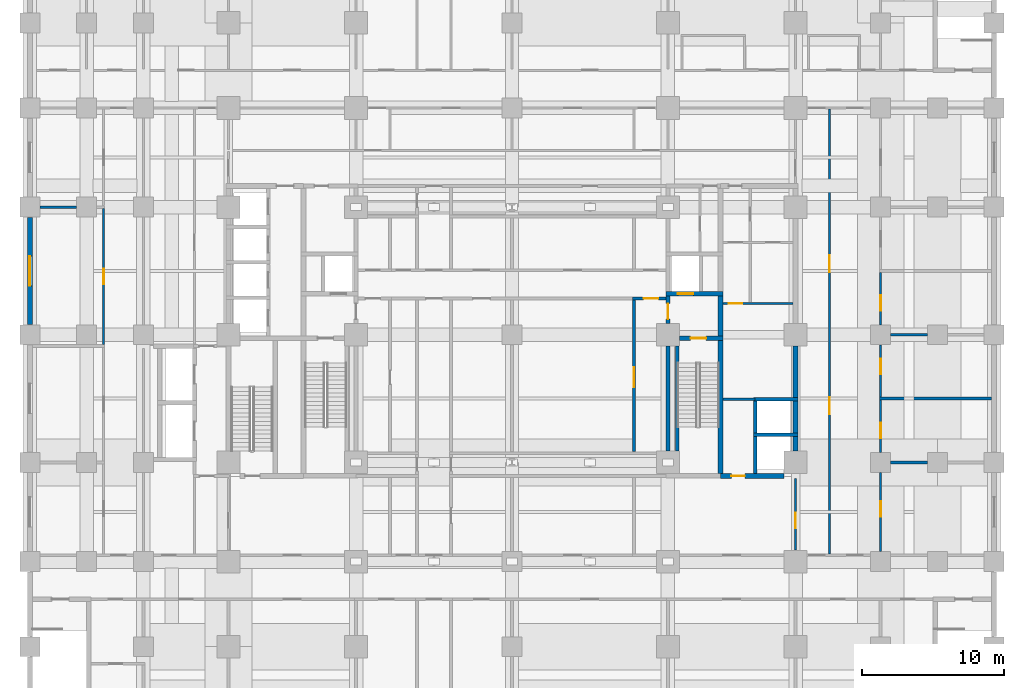
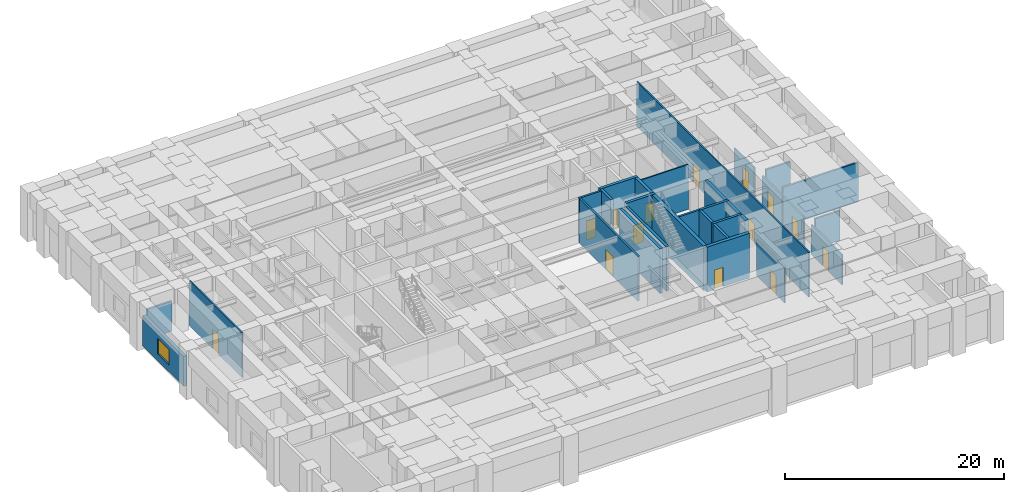
# One storey, part 10 of 22: 31 walls, 15 doors, 1 window, 16 openings.
"""IFC4 building model written with IfcOpenShell, lengths in metres."""

from ifc_helpers import new_model, si_unit, direction, frame, frame_2d, origin, place, context, subcontext, project, spatial, rectangle, extrude, material, layer, layer_set, type_object, element, fill, save


model = new_model("IFC4")

# Units and contexts
model_context = context("Model", 3, precision=1e-05, world=origin(), true_north=direction((0.0, 1.0)))
body_context = subcontext(model_context, "Body", "Model", "MODEL_VIEW")
ifc_project = project(units=[si_unit("LENGTHUNIT", "METRE"), si_unit("AREAUNIT", "SQUARE_METRE"), si_unit("VOLUMEUNIT", "CUBIC_METRE"), si_unit("PLANEANGLEUNIT", "RADIAN"), si_unit("MASSUNIT", "GRAM", prefix="KILO")], contexts=[model_context])

# Site, building, storey
site_placement = place(None, origin())
site = spatial("IfcSite", under=ifc_project, at=site_placement, CompositionType="ELEMENT")
building_placement = place(site_placement, origin())
building = spatial("IfcBuilding", under=site, at=building_placement, Name="Zulmaris Gate Convention Tower", CompositionType="ELEMENT")
storey_placement = place(building_placement, frame((0.0, 0.0, 21.760009765625)))
storey = spatial("IfcBuildingStorey", under=building, at=storey_placement, Name="L04", CompositionType="ELEMENT", Elevation=21.760009765625)

# Walls
ifc_material_1 = material(Name="Concrete C50/60", Category="concrete")
ifc_layer_1 = layer(ifc_material_1, 0.25, Name="Concrete C50/60")
ifc_layer_set_1 = layer_set([ifc_layer_1], Name="Concrete C50/60")
wall_type_1 = type_object("IfcWallType", Name="CORE-250", PredefinedType="SOLIDWALL", material=ifc_layer_set_1)
for number, where, z_axis, x_axis, name in (
    (1, (17.02490234375, -7.050048828125, 0.0), (0.0, 0.0, 1.0), (1.0, 0.0, 0.0), "WL-L04-010"),
    (2, (17.02490234375, -4.550048828125, 0.0), (0.0, 0.0, 1.0), (1.0, 0.0, 0.0), "WL-L04-012"),
):
    element("IfcWall", number, at=place(storey_placement, frame(where, z_axis=z_axis, x_axis=x_axis)), inside=storey, type_object=wall_type_1, Name=name, PredefinedType="SOLIDWALL", context=body_context, shape_type="SweptSolid", body=[
        extrude(rectangle(XDim=3.150146484375, YDim=0.25, at=frame_2d((1.5751953125, 0.0))), origin(), (0.0, 0.0, 1.0), 4.989990234375),
    ])
wall_1_placement = place(storey_placement, frame((11.64990234375, -8.196044921875, 0.0), z_axis=(0.0, 0.0, 1.0), x_axis=(0.0, 1.0, 0.0)))
element("IfcWall", 3, at=wall_1_placement, inside=storey, type_object=wall_type_1, Name="WL-L04-102", PredefinedType="SOLIDWALL", context=body_context, shape_type="SweptSolid", body=[
    extrude(rectangle(XDim=7.39208984375, YDim=0.25, at=frame_2d((3.696044921875, 0.0))), origin(), (0.0, 0.0, 1.0), 4.989990234375),
])
wall_2_placement = place(storey_placement, frame((17.14990234375, -9.77294921875, 0.0), z_axis=(0.0, 0.0, 1.0), x_axis=(0.0, 1.0, 0.0)))
element("IfcWall", 4, at=wall_2_placement, inside=storey, type_object=wall_type_1, Name="WL-L04-108", PredefinedType="SOLIDWALL", context=body_context, shape_type="SweptSolid", body=[
    extrude(rectangle(XDim=2.595947265625, YDim=0.25, at=frame_2d((1.2978515625, 0.0))), origin(), (0.0, 0.0, 1.0), 4.989990234375),
])
wall_3_placement = place(storey_placement, frame((17.14990234375, -6.923095703125, 0.0), z_axis=(0.0, 0.0, 1.0), x_axis=(0.0, 1.0, 0.0)))
element("IfcWall", 5, at=wall_3_placement, inside=storey, type_object=wall_type_1, Name="WL-L04-109", PredefinedType="SOLIDWALL", context=body_context, shape_type="SweptSolid", body=[
    extrude(rectangle(XDim=2.24609375, YDim=0.25, at=frame_2d((1.123046875, 0.0))), origin(), (0.0, 0.0, 1.0), 4.989990234375),
])

# Wall, opening, door
ifc_layer_2 = layer(ifc_material_1, 0.300048828125, Name="Concrete C50/60")
ifc_layer_set_2 = layer_set([ifc_layer_2], Name="Concrete C50/60")
wall_type_2 = type_object("IfcWallType", Name="CORE-300", PredefinedType="SHEAR", material=ifc_layer_set_2)
wall_4_placement = place(storey_placement, frame((11.803955078125, -0.25, 0.0), z_axis=(0.0, 0.0, 1.0), x_axis=(1.0, 0.0, 0.0)))
wall_4 = element("IfcWall", 6, at=wall_4_placement, inside=storey, type_object=wall_type_2, Name="WL-L04-015", PredefinedType="SHEAR", context=body_context, shape_type="SweptSolid", body=[
    extrude(rectangle(XDim=3.071044921875, YDim=0.300048828125, at=frame_2d((1.53564453125, 0.0))), origin(), (0.0, 0.0, 1.0), 4.989990234375),
])
opening_1_placement = place(wall_4_placement, frame((0.7958984375, 0.0, 0.0)))
opening_1 = element("IfcOpeningElement", 7, at=opening_1_placement, cuts=wall_4, Name="Opening D-08", PredefinedType="OPENING", context=body_context, shape_type="SweptSolid", body=[
    extrude(rectangle(XDim=1.10009765625, YDim=2.14990234375, at=frame_2d((0.550048828125, 1.074951171875))), frame((0.0, 0.16015625, 0.0), z_axis=(0.0, -1.0, 0.0), x_axis=(1.0, 0.0, 0.0)), (0.0, 0.0, 1.0), 0.320068359375),
])
ifc_material_2 = material(Name="Fire-Rated Steel", Category="steel")
door_type_1 = type_object("IfcDoorType", Name="DR-1100-FD", OperationType="NOTDEFINED", PredefinedType="DOOR", material=ifc_material_2)
door_1_placement = place(opening_1_placement, origin())
door_1 = element("IfcDoor", 8, at=door_1_placement, inside=storey, type_object=door_type_1, Name="L04 Exit Stair ST-2 Door 04", OperationType="SINGLE_SWING_LEFT", OverallHeight=2.14990234375, OverallWidth=1.10009765625, PredefinedType="DOOR", context=body_context, shape_type="SweptSolid", body=[
    extrude(rectangle(XDim=1.10009765625, YDim=2.14990234375, at=frame_2d((0.550048828125, 1.074951171875))), frame((0.0, 0.02490234375, 0.0), z_axis=(0.0, -1.0, 0.0), x_axis=(1.0, 0.0, 0.0)), (0.0, 0.0, 1.0), 0.050048828125),
])
fill(opening_1, door_1)

wall_5_placement = place(storey_placement, frame((10.85009765625, 2.89990234375, 0.0), z_axis=(0.0, 0.0, 1.0), x_axis=(1.0, 0.0, 0.0)))
wall_5 = element("IfcWall", 9, at=wall_5_placement, inside=storey, type_object=wall_type_2, Name="WL-L04-018", PredefinedType="SHEAR", context=body_context, shape_type="SweptSolid", body=[
    extrude(rectangle(XDim=4.02490234375, YDim=0.300048828125, at=frame_2d((2.012451171875, 0.0))), origin(), (0.0, 0.0, 1.0), 4.989990234375),
])
opening_2_placement = place(wall_5_placement, frame((0.85009765625, 0.0, 0.0)))
opening_2 = element("IfcOpeningElement", 10, at=opening_2_placement, cuts=wall_5, Name="Opening D-06", PredefinedType="OPENING", context=body_context, shape_type="SweptSolid", body=[
    extrude(rectangle(XDim=1.10009765625, YDim=2.199951171875, at=frame_2d((0.550048828125, 1.10009765625))), frame((0.0, 0.16015625, 0.0), z_axis=(0.0, -1.0, 0.0), x_axis=(1.0, 0.0, 0.0)), (0.0, 0.0, 1.0), 0.320068359375),
])
ifc_material_3 = material(Name="Brushed Stainless Steel", Category="steel")
door_type_2 = type_object("IfcDoorType", Name="LD-1100", OperationType="NOTDEFINED", PredefinedType="DOOR", material=ifc_material_3)
door_2_placement = place(opening_2_placement, origin())
door_2 = element("IfcDoor", 11, at=door_2_placement, inside=storey, type_object=door_type_2, Name="L04 Lift Landing Door LF-02 06", OperationType="SLIDING_TO_RIGHT", OverallHeight=2.199951171875, OverallWidth=1.10009765625, PredefinedType="DOOR", context=body_context, shape_type="SweptSolid", body=[
    extrude(rectangle(XDim=1.10009765625, YDim=2.199951171875, at=frame_2d((0.550048828125, 1.10009765625))), frame((0.0, 0.02490234375, 0.0), z_axis=(0.0, -1.0, 0.0), x_axis=(1.0, 0.0, 0.0)), (0.0, 0.0, 1.0), 0.050048828125),
])
fill(opening_2, door_2)

# Wall
wall_6_placement = place(storey_placement, frame((11.0, -8.196044921875, 0.0), z_axis=(0.0, 0.0, 1.0), x_axis=(0.0, 1.0, 0.0)))
element("IfcWall", 12, at=wall_6_placement, inside=storey, type_object=wall_type_2, Name="WL-L04-098", PredefinedType="SHEAR", context=body_context, shape_type="SweptSolid", body=[
    extrude(rectangle(XDim=7.39208984375, YDim=0.300048828125, at=frame_2d((3.696044921875, 0.0))), origin(), (0.0, 0.0, 1.0), 4.989990234375),
])

# Wall, opening, door
wall_7_placement = place(storey_placement, frame((11.0, 0.803955078125, 0.0), z_axis=(0.0, 0.0, 1.0), x_axis=(0.0, 1.0, 0.0)))
wall_7 = element("IfcWall", 13, at=wall_7_placement, inside=storey, type_object=wall_type_2, Name="WL-L04-099", PredefinedType="SHEAR", context=body_context, shape_type="SweptSolid", body=[
    extrude(rectangle(XDim=1.944091796875, YDim=0.300048828125, at=frame_2d((0.97216796875, 0.0))), origin(), (0.0, 0.0, 1.0), 4.989990234375),
])
opening_3_placement = place(wall_7_placement, frame((0.2958984375, 0.0, 0.0)))
opening_3 = element("IfcOpeningElement", 14, at=opening_3_placement, cuts=wall_7, Name="Opening D-08", PredefinedType="OPENING", context=body_context, shape_type="SweptSolid", body=[
    extrude(rectangle(XDim=1.10009765625, YDim=2.14990234375, at=frame_2d((0.550048828125, 1.074951171875))), frame((0.0, 0.16015625, 0.0), z_axis=(0.0, -1.0, 0.0), x_axis=(1.0, 0.0, 0.0)), (0.0, 0.0, 1.0), 0.320068359375),
])
door_3_placement = place(opening_3_placement, origin())
door_3 = element("IfcDoor", 15, at=door_3_placement, inside=storey, type_object=door_type_1, Name="L04 East Firefighting Lobby Door 05", OperationType="SINGLE_SWING_RIGHT", OverallHeight=2.14990234375, OverallWidth=1.10009765625, PredefinedType="DOOR", context=body_context, shape_type="SweptSolid", body=[
    extrude(rectangle(XDim=1.10009765625, YDim=2.14990234375, at=frame_2d((0.550048828125, 1.074951171875))), frame((0.0, 0.02490234375, 0.0), z_axis=(0.0, -1.0, 0.0), x_axis=(1.0, 0.0, 0.0)), (0.0, 0.0, 1.0), 0.050048828125),
])
fill(opening_3, door_3)

ifc_material_4 = material(Name="Concrete C55/67", Category="concrete")
ifc_layer_3 = layer(ifc_material_4, 0.35009765625, Name="Concrete C55/67")
ifc_layer_set_3 = layer_set([ifc_layer_3], Name="Concrete C55/67")
wall_type_3 = type_object("IfcWallType", Name="CORE-350", PredefinedType="SHEAR", material=ifc_layer_set_3)
wall_8_placement = place(storey_placement, frame((14.699951171875, -9.949951171875, 0.0), z_axis=(0.0, 0.0, 1.0), x_axis=(1.0, 0.0, 0.0)))
wall_8 = element("IfcWall", 16, at=wall_8_placement, inside=storey, type_object=wall_type_3, Name="WL-L04-008", PredefinedType="SHEAR", context=body_context, shape_type="SweptSolid", body=[
    extrude(rectangle(XDim=4.49609375, YDim=0.35009765625, at=frame_2d((2.248046875, 0.0))), origin(), (0.0, 0.0, 1.0), 4.989990234375),
])
opening_4_placement = place(wall_8_placement, frame((0.77490234375, 0.0, 0.0)))
opening_4 = element("IfcOpeningElement", 17, at=opening_4_placement, cuts=wall_8, Name="Opening D-11", PredefinedType="OPENING", context=body_context, shape_type="SweptSolid", body=[
    extrude(rectangle(XDim=0.949951171875, YDim=2.14990234375, at=frame_2d((0.47509765625, 1.074951171875))), frame((0.0, 0.18505859375, 0.0), z_axis=(0.0, -1.0, 0.0), x_axis=(1.0, 0.0, 0.0)), (0.0, 0.0, 1.0), 0.3701171875),
])
ifc_material_5 = material(Name="Fire-Rated Timber", Category="wood")
door_type_3 = type_object("IfcDoorType", Name="DR-950-FD", OperationType="NOTDEFINED", PredefinedType="DOOR", material=ifc_material_5)
door_4_placement = place(opening_4_placement, origin())
door_4 = element("IfcDoor", 18, at=door_4_placement, inside=storey, type_object=door_type_3, Name="L04 East Cleaners Store Door 16", OperationType="SINGLE_SWING_RIGHT", OverallHeight=2.14990234375, OverallWidth=0.949951171875, PredefinedType="DOOR", context=body_context, shape_type="SweptSolid", body=[
    extrude(rectangle(XDim=0.949951171875, YDim=2.14990234375, at=frame_2d((0.47509765625, 1.074951171875))), frame((0.0, 0.02490234375, 0.0), z_axis=(0.0, -1.0, 0.0), x_axis=(1.0, 0.0, 0.0)), (0.0, 0.0, 1.0), 0.050048828125),
])
fill(opening_4, door_4)

# Walls
wall_9_placement = place(storey_placement, frame((14.699951171875, -9.77294921875, 0.0), z_axis=(0.0, 0.0, 1.0), x_axis=(0.0, 1.0, 0.0)))
element("IfcWall", 19, at=wall_9_placement, inside=storey, type_object=wall_type_3, Name="WL-L04-104", PredefinedType="SHEAR", context=body_context, shape_type="SweptSolid", body=[
    extrude(rectangle(XDim=9.370849609375, YDim=0.35009765625, at=frame_2d((4.685546875, 0.0))), origin(), (0.0, 0.0, 1.0), 4.989990234375),
])
wall_10_placement = place(storey_placement, frame((14.699951171875, -0.097900390625, 0.0), z_axis=(0.0, 0.0, 1.0), x_axis=(0.0, 1.0, 0.0)))
element("IfcWall", 20, at=wall_10_placement, inside=storey, type_object=wall_type_3, Name="WL-L04-105", PredefinedType="SHEAR", context=body_context, shape_type="SweptSolid", body=[
    extrude(rectangle(XDim=2.845947265625, YDim=0.35009765625, at=frame_2d((1.4228515625, 0.0))), origin(), (0.0, 0.0, 1.0), 4.989990234375),
])
wall_11_placement = place(storey_placement, frame((20.0, -8.196044921875, 0.0), z_axis=(0.0, 0.0, 1.0), x_axis=(0.0, 1.0, 0.0)))
element("IfcWall", 21, at=wall_11_placement, inside=storey, type_object=wall_type_3, Name="WL-L04-110", PredefinedType="SHEAR", context=body_context, shape_type="SweptSolid", body=[
    extrude(rectangle(XDim=1.01904296875, YDim=0.35009765625, at=frame_2d((0.509521484375, 0.0))), origin(), (0.0, 0.0, 1.0), 4.989990234375),
])
wall_12_placement = place(storey_placement, frame((20.0, -6.923095703125, 0.0), z_axis=(0.0, 0.0, 1.0), x_axis=(0.0, 1.0, 0.0)))
element("IfcWall", 22, at=wall_12_placement, inside=storey, type_object=wall_type_3, Name="WL-L04-111", PredefinedType="SHEAR", context=body_context, shape_type="SweptSolid", body=[
    extrude(rectangle(XDim=2.24609375, YDim=0.35009765625, at=frame_2d((1.123046875, 0.0))), origin(), (0.0, 0.0, 1.0), 4.989990234375),
])
wall_13_placement = place(storey_placement, frame((20.0, -4.423095703125, 0.0), z_axis=(0.0, 0.0, 1.0), x_axis=(0.0, 1.0, 0.0)))
element("IfcWall", 23, at=wall_13_placement, inside=storey, type_object=wall_type_3, Name="WL-L04-112", PredefinedType="SHEAR", context=body_context, shape_type="SweptSolid", body=[
    extrude(rectangle(XDim=3.619140625, YDim=0.35009765625, at=frame_2d((1.8095703125, 0.0))), origin(), (0.0, 0.0, 1.0), 4.989990234375),
])

# Wall, opening, door
ifc_material_6 = material(Name="Gypsum Metal Stud Partition")
ifc_layer_4 = layer(ifc_material_6, 0.14990234375, Name="Gypsum Metal Stud Partition")
ifc_layer_set_4 = layer_set([ifc_layer_4], Name="Gypsum Metal Stud Partition")
wall_type_4 = type_object("IfcWallType", Name="PART-150", PredefinedType="PARTITIONING", material=ifc_layer_set_4)
wall_14_placement = place(storey_placement, frame((14.8779296875, 2.199951171875, 0.0), z_axis=(0.0, 0.0, 1.0), x_axis=(1.0, 0.0, 0.0)))
wall_14 = element("IfcWall", 24, at=wall_14_placement, inside=storey, type_object=wall_type_4, Name="WL-L04-053", PredefinedType="PARTITIONING", context=body_context, shape_type="SweptSolid", body=[
    extrude(rectangle(XDim=4.944091796875, YDim=0.14990234375, at=frame_2d((2.47216796875, 0.0))), origin(), (0.0, 0.0, 1.0), 4.989990234375),
])
opening_5_placement = place(wall_14_placement, frame((0.39697265625, 0.0, 0.0)))
opening_5 = element("IfcOpeningElement", 25, at=opening_5_placement, cuts=wall_14, Name="Opening D-11", PredefinedType="OPENING", context=body_context, shape_type="SweptSolid", body=[
    extrude(rectangle(XDim=0.949951171875, YDim=2.14990234375, at=frame_2d((0.47509765625, 1.074951171875))), frame((0.0, 0.0849609375, 0.0), z_axis=(0.0, -1.0, 0.0), x_axis=(1.0, 0.0, 0.0)), (0.0, 0.0, 1.0), 0.169921875),
])
door_5_placement = place(opening_5_placement, origin())
door_5 = element("IfcDoor", 26, at=door_5_placement, inside=storey, type_object=door_type_3, Name="L04 East Switchroom Door 19", OperationType="SINGLE_SWING_LEFT", OverallHeight=2.14990234375, OverallWidth=0.949951171875, PredefinedType="DOOR", context=body_context, shape_type="SweptSolid", body=[
    extrude(rectangle(XDim=0.949951171875, YDim=2.14990234375, at=frame_2d((0.47509765625, 1.074951171875))), frame((0.0, 0.02490234375, 0.0), z_axis=(0.0, -1.0, 0.0), x_axis=(1.0, 0.0, 0.0)), (0.0, 0.0, 1.0), 0.050048828125),
])
fill(opening_5, door_5)

wall_15_placement = place(storey_placement, frame((-28.800048828125, -0.697021484375, 0.0), z_axis=(0.0, 0.0, 1.0), x_axis=(0.0, 1.0, 0.0)))
wall_15 = element("IfcWall", 27, at=wall_15_placement, inside=storey, type_object=wall_type_4, Name="WL-L04-118", PredefinedType="PARTITIONING", context=body_context, shape_type="SweptSolid", body=[
    extrude(rectangle(XDim=9.593994140625, YDim=0.14990234375, at=frame_2d((4.796875, 0.0))), origin(), (0.0, 0.0, 1.0), 4.989990234375),
])
opening_6_placement = place(wall_15_placement, frame((4.2470703125, 0.0, 0.0)))
opening_6 = element("IfcOpeningElement", 28, at=opening_6_placement, cuts=wall_15, Name="Opening D-08", PredefinedType="OPENING", context=body_context, shape_type="SweptSolid", body=[
    extrude(rectangle(XDim=1.10009765625, YDim=2.14990234375, at=frame_2d((0.550048828125, 1.074951171875))), frame((0.0, 0.0849609375, 0.0), z_axis=(0.0, -1.0, 0.0), x_axis=(1.0, 0.0, 0.0)), (0.0, 0.0, 1.0), 0.169921875),
])
door_6_placement = place(opening_6_placement, origin())
door_6 = element("IfcDoor", 29, at=door_6_placement, inside=storey, type_object=door_type_1, Name="L04 West Room WU1 Door 68", OperationType="SINGLE_SWING_RIGHT", OverallHeight=2.14990234375, OverallWidth=1.10009765625, PredefinedType="DOOR", context=body_context, shape_type="SweptSolid", body=[
    extrude(rectangle(XDim=1.10009765625, YDim=2.14990234375, at=frame_2d((0.550048828125, 1.074951171875))), frame((0.0, 0.02490234375, 0.0), z_axis=(0.0, -1.0, 0.0), x_axis=(1.0, 0.0, 0.0)), (0.0, 0.0, 1.0), 0.050048828125),
])
fill(opening_6, door_6)

wall_16_placement = place(storey_placement, frame((20.0, -15.194091796875, 0.0), z_axis=(0.0, 0.0, 1.0), x_axis=(0.0, 1.0, 0.0)))
wall_16 = element("IfcWall", 30, at=wall_16_placement, inside=storey, type_object=wall_type_4, Name="WL-L04-178", PredefinedType="PARTITIONING", context=body_context, shape_type="SweptSolid", body=[
    extrude(rectangle(XDim=5.066162109375, YDim=0.14990234375, at=frame_2d((2.533203125, 0.0))), origin(), (0.0, 0.0, 1.0), 4.031982421875),
])
opening_7_placement = place(wall_16_placement, frame((1.5439453125, 0.0, 0.0)))
opening_7 = element("IfcOpeningElement", 31, at=opening_7_placement, cuts=wall_16, Name="Opening D-08", PredefinedType="OPENING", context=body_context, shape_type="SweptSolid", body=[
    extrude(rectangle(XDim=1.10009765625, YDim=2.14990234375, at=frame_2d((0.550048828125, 1.074951171875))), frame((0.0, 0.0849609375, 0.0), z_axis=(0.0, -1.0, 0.0), x_axis=(1.0, 0.0, 0.0)), (0.0, 0.0, 1.0), 0.169921875),
])
door_7_placement = place(opening_7_placement, origin())
door_7 = element("IfcDoor", 32, at=door_7_placement, inside=storey, type_object=door_type_1, Name="L04 SE Passage Link Door 45", OperationType="SINGLE_SWING_LEFT", OverallHeight=2.14990234375, OverallWidth=1.10009765625, PredefinedType="DOOR", context=body_context, shape_type="SweptSolid", body=[
    extrude(rectangle(XDim=1.10009765625, YDim=2.14990234375, at=frame_2d((0.550048828125, 1.074951171875))), frame((0.0, 0.02490234375, 0.0), z_axis=(0.0, -1.0, 0.0), x_axis=(1.0, 0.0, 0.0)), (0.0, 0.0, 1.0), 0.050048828125),
])
fill(opening_7, door_7)

# Wall, openings, doors
wall_17_placement = place(storey_placement, frame((22.39990234375, -15.471923828125, 0.0), z_axis=(0.0, 0.0, 1.0), x_axis=(0.0, 1.0, 0.0)))
wall_17 = element("IfcWall", 33, at=wall_17_placement, inside=storey, type_object=wall_type_4, Name="WL-L04-183", PredefinedType="PARTITIONING", context=body_context, shape_type="SweptSolid", body=[
    extrude(rectangle(XDim=31.39404296875, YDim=0.14990234375, at=frame_2d((15.697021484375, 0.0))), origin(), (0.0, 0.0, 1.0), 4.989990234375),
])
opening_8_placement = place(wall_17_placement, frame((9.8720703125, 0.0, 0.0)))
opening_8 = element("IfcOpeningElement", 34, at=opening_8_placement, cuts=wall_17, Name="Opening D-13", PredefinedType="OPENING", context=body_context, shape_type="SweptSolid", body=[
    extrude(rectangle(XDim=1.199951171875, YDim=2.14990234375, at=frame_2d((0.60009765625, 1.074951171875))), frame((0.0, 0.0849609375, 0.0), z_axis=(0.0, -1.0, 0.0), x_axis=(1.0, 0.0, 0.0)), (0.0, 0.0, 1.0), 0.169921875),
])
opening_9_placement = place(wall_17_placement, frame((19.8720703125, 0.0, 0.0)))
opening_9 = element("IfcOpeningElement", 35, at=opening_9_placement, cuts=wall_17, Name="Opening D-13", PredefinedType="OPENING", context=body_context, shape_type="SweptSolid", body=[
    extrude(rectangle(XDim=1.199951171875, YDim=2.14990234375, at=frame_2d((0.60009765625, 1.074951171875))), frame((0.0, 0.0849609375, 0.0), z_axis=(0.0, -1.0, 0.0), x_axis=(1.0, 0.0, 0.0)), (0.0, 0.0, 1.0), 0.169921875),
])
door_type_4 = type_object("IfcDoorType", Name="DR-1200-FD", OperationType="NOTDEFINED", PredefinedType="DOOR", material=ifc_material_2)
door_8_placement = place(opening_8_placement, origin())
door_8 = element("IfcDoor", 36, at=door_8_placement, inside=storey, type_object=door_type_4, Name="L04 East Promenade South Link Door 70", OperationType="SINGLE_SWING_RIGHT", OverallHeight=2.14990234375, OverallWidth=1.199951171875, PredefinedType="DOOR", context=body_context, shape_type="SweptSolid", body=[
    extrude(rectangle(XDim=1.199951171875, YDim=2.14990234375, at=frame_2d((0.60009765625, 1.074951171875))), frame((0.0, 0.02490234375, 0.0), z_axis=(0.0, -1.0, 0.0), x_axis=(1.0, 0.0, 0.0)), (0.0, 0.0, 1.0), 0.050048828125),
])
fill(opening_8, door_8)
door_9_placement = place(opening_9_placement, origin())
door_9 = element("IfcDoor", 37, at=door_9_placement, inside=storey, type_object=door_type_4, Name="L04 East Promenade North Link Door 71", OperationType="SINGLE_SWING_LEFT", OverallHeight=2.14990234375, OverallWidth=1.199951171875, PredefinedType="DOOR", context=body_context, shape_type="SweptSolid", body=[
    extrude(rectangle(XDim=1.199951171875, YDim=2.14990234375, at=frame_2d((0.60009765625, 1.074951171875))), frame((0.0, 0.02490234375, 0.0), z_axis=(0.0, -1.0, 0.0), x_axis=(1.0, 0.0, 0.0)), (0.0, 0.0, 1.0), 0.050048828125),
])
fill(opening_9, door_9)

# Wall, opening, door
wall_18_placement = place(storey_placement, frame((26.0, -15.2939453125, 0.0), z_axis=(0.0, 0.0, 1.0), x_axis=(0.0, 1.0, 0.0)))
wall_18 = element("IfcWall", 38, at=wall_18_placement, inside=storey, type_object=wall_type_4, Name="WL-L04-186", PredefinedType="PARTITIONING", context=body_context, shape_type="SweptSolid", body=[
    extrude(rectangle(XDim=5.587890625, YDim=0.14990234375, at=frame_2d((2.7939453125, 0.0))), origin(), (0.0, 0.0, 1.0), 3.33203125),
])
opening_10_placement = place(wall_18_placement, frame((2.464111328125, 0.0, 0.0)))
opening_10 = element("IfcOpeningElement", 39, at=opening_10_placement, cuts=wall_18, Name="Opening D-08", PredefinedType="OPENING", context=body_context, shape_type="SweptSolid", body=[
    extrude(rectangle(XDim=1.10009765625, YDim=2.14990234375, at=frame_2d((0.550048828125, 1.074951171875))), frame((0.0, 0.0849609375, 0.0), z_axis=(0.0, -1.0, 0.0), x_axis=(1.0, 0.0, 0.0)), (0.0, 0.0, 1.0), 0.169921875),
])
door_10_placement = place(opening_10_placement, origin())
door_10 = element("IfcDoor", 40, at=door_10_placement, inside=storey, type_object=door_type_1, Name="L04 East Room E1 Door 74", OperationType="SINGLE_SWING_RIGHT", OverallHeight=2.14990234375, OverallWidth=1.10009765625, PredefinedType="DOOR", context=body_context, shape_type="SweptSolid", body=[
    extrude(rectangle(XDim=1.10009765625, YDim=2.14990234375, at=frame_2d((0.550048828125, 1.074951171875))), frame((0.0, 0.02490234375, 0.0), z_axis=(0.0, -1.0, 0.0), x_axis=(1.0, 0.0, 0.0)), (0.0, 0.0, 1.0), 0.050048828125),
])
fill(opening_10, door_10)

wall_19_placement = place(storey_placement, frame((26.0, -8.2939453125, 0.0), z_axis=(0.0, 0.0, 1.0), x_axis=(0.0, 1.0, 0.0)))
wall_19 = element("IfcWall", 41, at=wall_19_placement, inside=storey, type_object=wall_type_4, Name="WL-L04-187", PredefinedType="PARTITIONING", context=body_context, shape_type="SweptSolid", body=[
    extrude(rectangle(XDim=3.69091796875, YDim=0.14990234375, at=frame_2d((1.845458984375, 0.0))), origin(), (0.0, 0.0, 1.0), 3.33203125),
])
opening_11_placement = place(wall_19_placement, frame((0.993896484375, 0.0, 0.0)))
opening_11 = element("IfcOpeningElement", 42, at=opening_11_placement, cuts=wall_19, Name="Opening D-08", PredefinedType="OPENING", context=body_context, shape_type="SweptSolid", body=[
    extrude(rectangle(XDim=1.10009765625, YDim=2.14990234375, at=frame_2d((0.550048828125, 1.074951171875))), frame((0.0, 0.0849609375, 0.0), z_axis=(0.0, -1.0, 0.0), x_axis=(1.0, 0.0, 0.0)), (0.0, 0.0, 1.0), 0.169921875),
])
door_11_placement = place(opening_11_placement, origin())
door_11 = element("IfcDoor", 43, at=door_11_placement, inside=storey, type_object=door_type_1, Name="L04 East Room E2 Door 75", OperationType="SINGLE_SWING_LEFT", OverallHeight=2.14990234375, OverallWidth=1.10009765625, PredefinedType="DOOR", context=body_context, shape_type="SweptSolid", body=[
    extrude(rectangle(XDim=1.10009765625, YDim=2.14990234375, at=frame_2d((0.550048828125, 1.074951171875))), frame((0.0, 0.02490234375, 0.0), z_axis=(0.0, -1.0, 0.0), x_axis=(1.0, 0.0, 0.0)), (0.0, 0.0, 1.0), 0.050048828125),
])
fill(opening_11, door_11)

wall_20_placement = place(storey_placement, frame((26.0, -4.39697265625, 0.0), z_axis=(0.0, 0.0, 1.0), x_axis=(0.0, 1.0, 0.0)))
wall_20 = element("IfcWall", 44, at=wall_20_placement, inside=storey, type_object=wall_type_4, Name="WL-L04-188", PredefinedType="PARTITIONING", context=body_context, shape_type="SweptSolid", body=[
    extrude(rectangle(XDim=3.69091796875, YDim=0.14990234375, at=frame_2d((1.845458984375, 0.0))), origin(), (0.0, 0.0, 1.0), 3.33203125),
])
opening_12_placement = place(wall_20_placement, frame((1.596923828125, 0.0, 0.0)))
opening_12 = element("IfcOpeningElement", 45, at=opening_12_placement, cuts=wall_20, Name="Opening D-08", PredefinedType="OPENING", context=body_context, shape_type="SweptSolid", body=[
    extrude(rectangle(XDim=1.10009765625, YDim=2.14990234375, at=frame_2d((0.550048828125, 1.074951171875))), frame((0.0, 0.0849609375, 0.0), z_axis=(0.0, -1.0, 0.0), x_axis=(1.0, 0.0, 0.0)), (0.0, 0.0, 1.0), 0.169921875),
])
door_12_placement = place(opening_12_placement, origin())
door_12 = element("IfcDoor", 46, at=door_12_placement, inside=storey, type_object=door_type_1, Name="L04 East Room E3 Door 76", OperationType="SINGLE_SWING_RIGHT", OverallHeight=2.14990234375, OverallWidth=1.10009765625, PredefinedType="DOOR", context=body_context, shape_type="SweptSolid", body=[
    extrude(rectangle(XDim=1.10009765625, YDim=2.14990234375, at=frame_2d((0.550048828125, 1.074951171875))), frame((0.0, 0.02490234375, 0.0), z_axis=(0.0, -1.0, 0.0), x_axis=(1.0, 0.0, 0.0)), (0.0, 0.0, 1.0), 0.050048828125),
])
fill(opening_12, door_12)

wall_21_placement = place(storey_placement, frame((26.0, 0.7060546875, 0.0), z_axis=(0.0, 0.0, 1.0), x_axis=(0.0, 1.0, 0.0)))
wall_21 = element("IfcWall", 47, at=wall_21_placement, inside=storey, type_object=wall_type_4, Name="WL-L04-189", PredefinedType="PARTITIONING", context=body_context, shape_type="SweptSolid", body=[
    extrude(rectangle(XDim=3.69091796875, YDim=0.14990234375, at=frame_2d((1.845458984375, 0.0))), origin(), (0.0, 0.0, 1.0), 3.33203125),
])
opening_13_placement = place(wall_21_placement, frame((0.993896484375, 0.0, 0.0)))
opening_13 = element("IfcOpeningElement", 48, at=opening_13_placement, cuts=wall_21, Name="Opening D-08", PredefinedType="OPENING", context=body_context, shape_type="SweptSolid", body=[
    extrude(rectangle(XDim=1.10009765625, YDim=2.14990234375, at=frame_2d((0.550048828125, 1.074951171875))), frame((0.0, 0.0849609375, 0.0), z_axis=(0.0, -1.0, 0.0), x_axis=(1.0, 0.0, 0.0)), (0.0, 0.0, 1.0), 0.169921875),
])
door_13_placement = place(opening_13_placement, origin())
door_13 = element("IfcDoor", 49, at=door_13_placement, inside=storey, type_object=door_type_1, Name="L04 East Room E4 Door 77", OperationType="SINGLE_SWING_LEFT", OverallHeight=2.14990234375, OverallWidth=1.10009765625, PredefinedType="DOOR", context=body_context, shape_type="SweptSolid", body=[
    extrude(rectangle(XDim=1.10009765625, YDim=2.14990234375, at=frame_2d((0.550048828125, 1.074951171875))), frame((0.0, 0.02490234375, 0.0), z_axis=(0.0, -1.0, 0.0), x_axis=(1.0, 0.0, 0.0)), (0.0, 0.0, 1.0), 0.050048828125),
])
fill(opening_13, door_13)

# Walls
ifc_material_7 = material(Name="Autoclaved Aerated Concrete Block and Plasterboard", Category="concrete")
ifc_layer_5 = layer(ifc_material_7, 0.199951171875, Name="Autoclaved Aerated Concrete Block and Plasterboard")
ifc_layer_set_5 = layer_set([ifc_layer_5], Name="Autoclaved Aerated Concrete Block and Plasterboard")
wall_type_5 = type_object("IfcWallType", Name="PART-200", PredefinedType="PARTITIONING", material=ifc_layer_set_5)
wall_22_placement = place(storey_placement, frame((26.7060546875, -9.0, 0.0), z_axis=(0.0, 0.0, 1.0), x_axis=(1.0, 0.0, 0.0)))
element("IfcWall", 50, at=wall_22_placement, inside=storey, type_object=wall_type_5, Name="WL-L04-045", PredefinedType="PARTITIONING", context=body_context, shape_type="SweptSolid", body=[
    extrude(rectangle(XDim=2.587890625, YDim=0.199951171875, at=frame_2d((1.2939453125, 0.0))), origin(), (0.0, 0.0, 1.0), 3.33203125),
])
wall_23_placement = place(storey_placement, frame((14.8779296875, -4.550048828125, 0.0), z_axis=(0.0, 0.0, 1.0), x_axis=(1.0, 0.0, 0.0)))
element("IfcWall", 51, at=wall_23_placement, inside=storey, type_object=wall_type_5, Name="WL-L04-048", PredefinedType="PARTITIONING", context=body_context, shape_type="SweptSolid", body=[
    extrude(rectangle(XDim=2.27197265625, YDim=0.199951171875, at=frame_2d((1.135986328125, 0.0))), origin(), (0.0, 0.0, 1.0), 4.989990234375),
])
wall_24_placement = place(storey_placement, frame((25.925048828125, -4.5, 0.0), z_axis=(0.0, 0.0, 1.0), x_axis=(1.0, 0.0, 0.0)))
element("IfcWall", 52, at=wall_24_placement, inside=storey, type_object=wall_type_5, Name="WL-L04-049", PredefinedType="PARTITIONING", context=body_context, shape_type="SweptSolid", body=[
    extrude(rectangle(XDim=7.909912109375, YDim=0.199951171875, at=frame_2d((3.955078125, 0.0))), origin(), (0.0, 0.0, 1.0), 4.3798828125),
])
wall_25_placement = place(storey_placement, frame((26.7060546875, 0.0, 0.0), z_axis=(0.0, 0.0, 1.0), x_axis=(1.0, 0.0, 0.0)))
element("IfcWall", 53, at=wall_25_placement, inside=storey, type_object=wall_type_5, Name="WL-L04-052", PredefinedType="PARTITIONING", context=body_context, shape_type="SweptSolid", body=[
    extrude(rectangle(XDim=2.587890625, YDim=0.199951171875, at=frame_2d((1.2939453125, 0.0))), origin(), (0.0, 0.0, 1.0), 3.33203125),
])

# Wall, opening, door
wall_26_placement = place(storey_placement, frame((8.5, 2.550048828125, 0.0), z_axis=(0.0, 0.0, 1.0), x_axis=(1.0, 0.0, 0.0)))
wall_26 = element("IfcWall", 54, at=wall_26_placement, inside=storey, type_object=wall_type_5, Name="WL-L04-056", PredefinedType="PARTITIONING", context=body_context, shape_type="SweptSolid", body=[
    extrude(rectangle(XDim=2.346923828125, YDim=0.199951171875, at=frame_2d((1.17333984375, 0.0))), origin(), (0.0, 0.0, 1.0), 4.989990234375),
])
opening_14_placement = place(wall_26_placement, frame((0.77490234375, 0.0, 0.0)))
opening_14 = element("IfcOpeningElement", 55, at=opening_14_placement, cuts=wall_26, Name="Opening D-09", PredefinedType="OPENING", context=body_context, shape_type="SweptSolid", body=[
    extrude(rectangle(XDim=1.050048828125, YDim=2.14990234375, at=frame_2d((0.52490234375, 1.074951171875))), frame((0.0, 0.10986328125, 0.0), z_axis=(0.0, -1.0, 0.0), x_axis=(1.0, 0.0, 0.0)), (0.0, 0.0, 1.0), 0.219970703125),
])
door_type_5 = type_object("IfcDoorType", Name="DR-1050-FD", OperationType="NOTDEFINED", PredefinedType="DOOR", material=ifc_material_2)
door_14_placement = place(opening_14_placement, origin())
door_14 = element("IfcDoor", 56, at=door_14_placement, inside=storey, type_object=door_type_5, Name="L04 East Arch North Cross Door 30", OperationType="SINGLE_SWING_RIGHT", OverallHeight=2.14990234375, OverallWidth=1.050048828125, PredefinedType="DOOR", context=body_context, shape_type="SweptSolid", body=[
    extrude(rectangle(XDim=1.050048828125, YDim=2.14990234375, at=frame_2d((0.52490234375, 1.074951171875))), frame((0.0, 0.02490234375, 0.0), z_axis=(0.0, -1.0, 0.0), x_axis=(1.0, 0.0, 0.0)), (0.0, 0.0, 1.0), 0.050048828125),
])
fill(opening_14, door_14)

# Wall
wall_27_placement = place(storey_placement, frame((-33.2939453125, 9.0, 0.0), z_axis=(0.0, 0.0, 1.0), x_axis=(1.0, 0.0, 0.0)))
element("IfcWall", 57, at=wall_27_placement, inside=storey, type_object=wall_type_5, Name="WL-L04-064", PredefinedType="PARTITIONING", context=body_context, shape_type="SweptSolid", body=[
    extrude(rectangle(XDim=2.587890625, YDim=0.199951171875, at=frame_2d((1.2939453125, 0.0))), origin(), (0.0, 0.0, 1.0), 3.33203125),
])

# Wall, opening, door
wall_28_placement = place(storey_placement, frame((8.60009765625, -8.2470703125, 0.0), z_axis=(0.0, 0.0, 1.0), x_axis=(0.0, 1.0, 0.0)))
wall_28 = element("IfcWall", 58, at=wall_28_placement, inside=storey, type_object=wall_type_5, Name="WL-L04-164", PredefinedType="PARTITIONING", context=body_context, shape_type="SweptSolid", body=[
    extrude(rectangle(XDim=10.694091796875, YDim=0.199951171875, at=frame_2d((5.34716796875, 0.0))), origin(), (0.0, 0.0, 1.0), 4.989990234375),
])
opening_15_placement = place(wall_28_placement, frame((4.547119140625, 0.0, 0.0)))
opening_15 = element("IfcOpeningElement", 59, at=opening_15_placement, cuts=wall_28, Name="Opening D-14", PredefinedType="OPENING", context=body_context, shape_type="SweptSolid", body=[
    extrude(rectangle(XDim=1.39990234375, YDim=2.199951171875, at=frame_2d((0.699951171875, 1.10009765625))), frame((0.0, 0.10986328125, 0.0), z_axis=(0.0, -1.0, 0.0), x_axis=(1.0, 0.0, 0.0)), (0.0, 0.0, 1.0), 0.219970703125),
])
ifc_material_8 = material(Name="Fire-Rated Glazed Steel", Category="steel")
door_type_6 = type_object("IfcDoorType", Name="DR-1400-FD", OperationType="NOTDEFINED", PredefinedType="DOOR", material=ifc_material_8)
door_15_placement = place(opening_15_placement, origin())
door_15 = element("IfcDoor", 60, at=door_15_placement, inside=storey, type_object=door_type_6, Name="L04 East Ballroom Door 103", OperationType="SINGLE_SWING_LEFT", OverallHeight=2.199951171875, OverallWidth=1.39990234375, PredefinedType="DOOR", context=body_context, shape_type="SweptSolid", body=[
    extrude(rectangle(XDim=1.39990234375, YDim=2.199951171875, at=frame_2d((0.699951171875, 1.10009765625))), frame((0.0, 0.02490234375, 0.0), z_axis=(0.0, -1.0, 0.0), x_axis=(1.0, 0.0, 0.0)), (0.0, 0.0, 1.0), 0.050048828125),
])
fill(opening_15, door_15)

# Wall, opening, window
ifc_material_9 = material(Name="Precast concrete C45/55", Category="concrete")
ifc_layer_6 = layer(ifc_material_9, 0.35009765625, Name="Precast concrete C45/55")
ifc_layer_set_6 = layer_set([ifc_layer_6], Name="Precast concrete C45/55")
wall_type_6 = type_object("IfcWallType", Name="PRECAST-POD-350", PredefinedType="STANDARD", material=ifc_layer_set_6)
wall_29_placement = place(storey_placement, frame((-34.0, 0.72998046875, 0.0), z_axis=(0.0, 0.0, 1.0), x_axis=(0.0, 1.0, 0.0)))
wall_29 = element("IfcWall", 61, at=wall_29_placement, inside=storey, type_object=wall_type_6, Name="EW-L04-W-0_0", PredefinedType="STANDARD", context=body_context, shape_type="SweptSolid", body=[
    extrude(rectangle(XDim=7.5400390625, YDim=0.35009765625, at=frame_2d((3.77001953125, 0.0))), origin(), (0.0, 0.0, 1.0), 3.33203125),
])
opening_16_placement = place(wall_29_placement, frame((2.719970703125, 0.0, 0.75)))
opening_16 = element("IfcOpeningElement", 62, at=opening_16_placement, cuts=wall_29, Name="Opening W-05", PredefinedType="OPENING", context=body_context, shape_type="SweptSolid", body=[
    extrude(rectangle(XDim=2.10009765625, YDim=1.75, at=frame_2d((1.050048828125, 0.875))), frame((0.0, 0.18505859375, 0.0), z_axis=(0.0, -1.0, 0.0), x_axis=(1.0, 0.0, 0.0)), (0.0, 0.0, 1.0), 0.3701171875),
])
ifc_material_10 = material(Name="Low-E Laminated Double Glazing in Aluminium Frame", Category="aluminium")
window_type = type_object("IfcWindowType", Name="WIN-2100x2400", PartitioningType="SINGLE_PANEL", PredefinedType="WINDOW", material=ifc_material_10)
window_placement = place(opening_16_placement, origin())
window = element("IfcWindow", 63, at=window_placement, inside=storey, type_object=window_type, Name="WN-EW-L04-W-0_0", OverallHeight=1.75, OverallWidth=2.10009765625, PartitioningType="SINGLE_PANEL", PredefinedType="WINDOW", context=body_context, shape_type="SweptSolid", body=[
    extrude(rectangle(XDim=2.10009765625, YDim=1.75, at=frame_2d((1.050048828125, 0.875))), frame((0.0, 0.030029296875, 0.0), z_axis=(0.0, -1.0, 0.0), x_axis=(1.0, 0.0, 0.0)), (0.0, 0.0, 1.0), 0.06005859375),
])
fill(opening_16, window)

save(model, "model.ifc")
